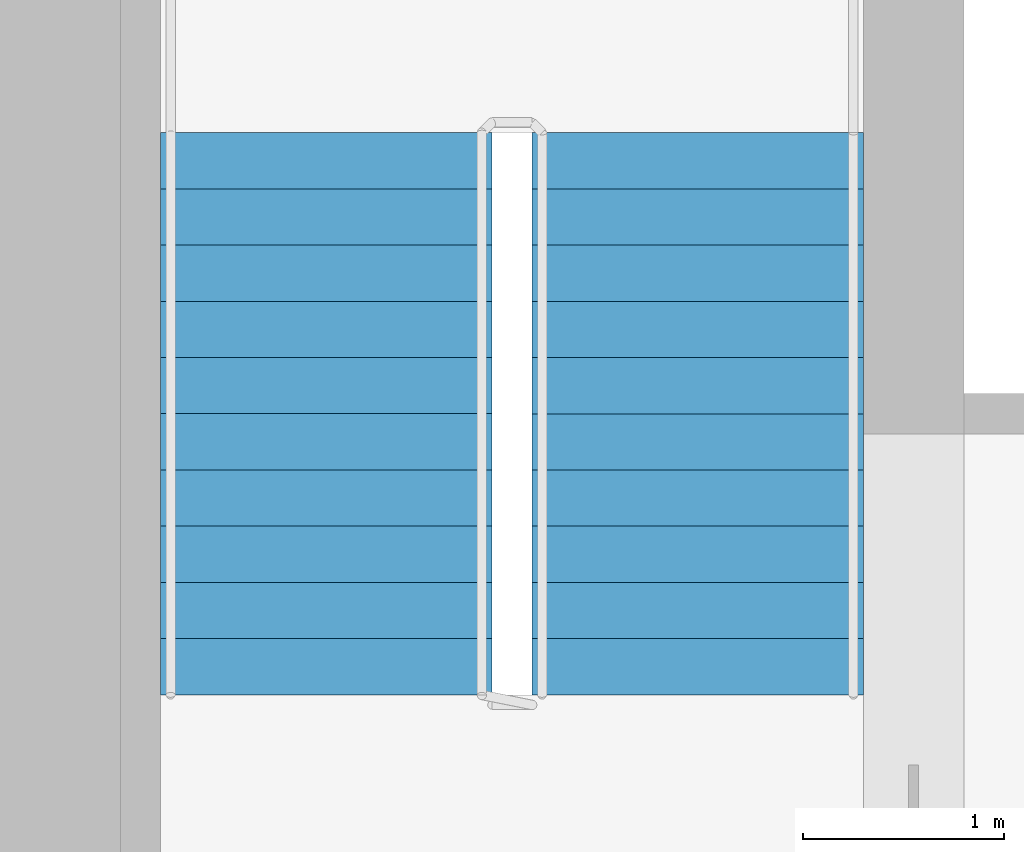
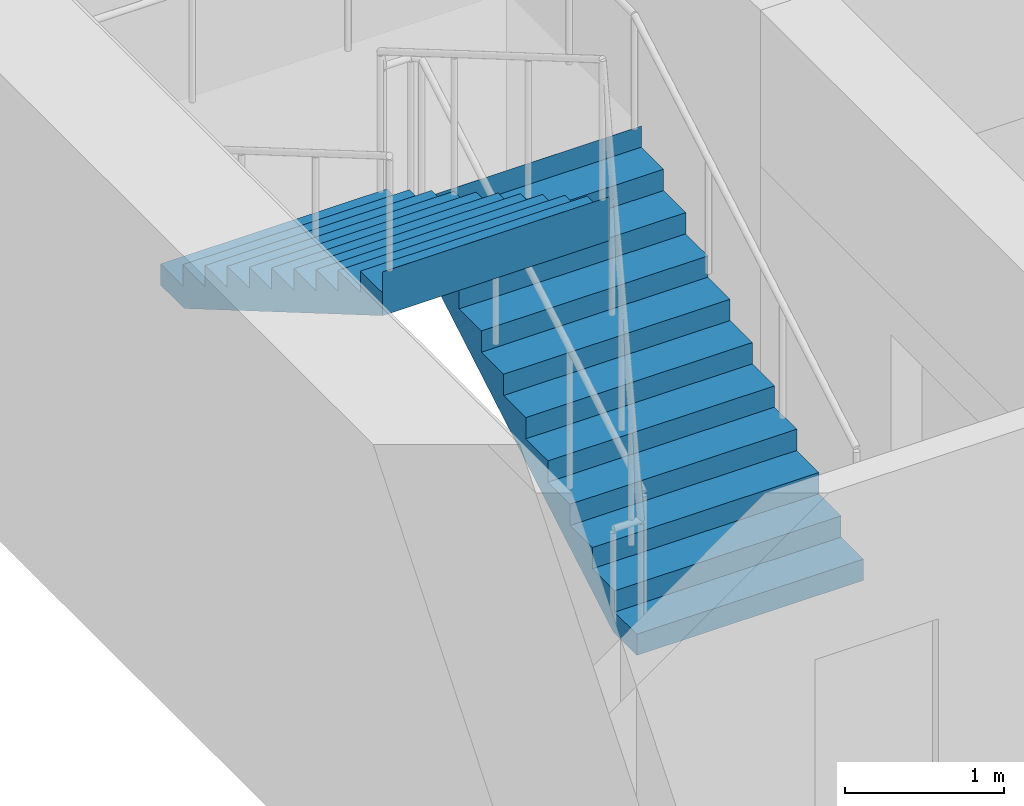
# One storey, part 13 of 14: 2 stair flights, 1 element without a shape of its own.
"""IFC4 building model written with IfcOpenShell, lengths in metres."""

from ifc_helpers import new_model, si_unit, direction, frame, origin, place, context, subcontext, project, spatial, polyline, outline, extrude, material, type_object, element, aggregate, save


model = new_model("IFC4")

# Units and contexts
model_context = context("Model", 3, precision=1e-05, world=origin(), true_north=direction((0.0, 1.0)))
body_context = subcontext(model_context, "Body", "Model", "MODEL_VIEW")
ifc_project = project(units=[si_unit("LENGTHUNIT", "METRE"), si_unit("AREAUNIT", "SQUARE_METRE"), si_unit("VOLUMEUNIT", "CUBIC_METRE"), si_unit("PLANEANGLEUNIT", "RADIAN"), si_unit("MASSUNIT", "GRAM", prefix="KILO")], contexts=[model_context])

# Site, building, storey
site_placement = place(None, origin())
site = spatial("IfcSite", under=ifc_project, at=site_placement, CompositionType="ELEMENT")
building_placement = place(site_placement, origin())
building = spatial("IfcBuilding", under=site, at=building_placement, Name="Tamorin Gate", CompositionType="ELEMENT")
storey_placement = place(building_placement, frame((0.0, 0.0, 137.39990234375)))
storey = spatial("IfcBuildingStorey", under=building, at=storey_placement, Name="L33", CompositionType="ELEMENT", Elevation=137.39990234375)

# Stair, stair flights
ifc_material = material(Name="Concrete C40/50", Category="concrete")
stair_type = type_object("IfcStairType", Name="Exit stair", PredefinedType="HALF_TURN_STAIR", material=ifc_material)
stair_placement = place(storey_placement, origin())
stair = element("IfcStair", 1, at=stair_placement, inside=storey, type_object=stair_type, Name="L33 stair ST2", PredefinedType="HALF_TURN_STAIR")
stair_flight_type = type_object("IfcStairFlightType", Name="Exit stair flight", PredefinedType="STRAIGHT", material=ifc_material)
stair_flight_1_placement = place(storey_placement, frame((33.675048828125, 77.0, 0.0), z_axis=(0.0, 0.0, 1.0), x_axis=(0.0, 1.0, 0.0)))
stair_flight_1 = element("IfcStairFlight", 2, at=stair_flight_1_placement, type_object=stair_flight_type, Name="ST2 flight 1", NumberOfRisers=11, NumberOfTreads=10, PredefinedType="STRAIGHT", RiserHeight=0.163636364, TreadLength=0.28, context=body_context, shape_type="SweptSolid", body=[
    extrude(outline(polyline([(-0.00048828125, 0.0), (-0.00048828125, 0.001708984375), (-0.00048828125, 0.003173828125), (-0.00048828125, 0.0048828125), (-0.00048828125, 0.006591796875), (-0.00048828125, 0.008056640625), (-0.00048828125, 0.009765625), (-0.00048828125, 0.01123046875), (-0.00048828125, 0.012939453125), (-0.00048828125, 0.0146484375), (-0.00048828125, 0.01611328125), (-0.00048828125, 0.017822265625), (-0.00048828125, 0.01953125), (-0.00048828125, 0.02099609375), (-0.00048828125, 0.022705078125), (-0.00048828125, 0.0244140625), (-0.00048828125, 0.02587890625), (-0.00048828125, 0.027587890625), (-0.00048828125, 0.029052734375), (-0.00048828125, 0.03076171875), (-0.00048828125, 0.032470703125), (-0.00048828125, 0.033935546875), (-0.00048828125, 0.03564453125), (-0.00048828125, 0.037353515625), (-0.00048828125, 0.038818359375), (-0.00048828125, 0.04052734375), (-0.00048828125, 0.042236328125), (-0.00048828125, 0.043701171875), (-0.00048828125, 0.04541015625), (-0.00048828125, 0.046875), (-0.00048828125, 0.048583984375), (-0.00048828125, 0.05029296875), (-0.00048828125, 0.0517578125), (-0.00048828125, 0.053466796875), (-0.00048828125, 0.05517578125), (-0.00048828125, 0.056640625), (-0.00048828125, 0.058349609375), (-0.00048828125, 0.06005859375), (-0.00048828125, 0.0615234375), (-0.00048828125, 0.063232421875), (-0.00048828125, 0.064697265625), (-0.00048828125, 0.06640625), (-0.00048828125, 0.068115234375), (-0.00048828125, 0.069580078125), (-0.00048828125, 0.0712890625), (-0.00048828125, 0.072998046875), (-0.00048828125, 0.074462890625), (-0.00048828125, 0.076171875), (-0.00048828125, 0.077880859375), (-0.00048828125, 0.079345703125), (-0.00048828125, 0.0810546875), (-0.00048828125, 0.08251953125), (-0.00048828125, 0.084228515625), (-0.00048828125, 0.0859375), (-0.00048828125, 0.08740234375), (-0.00048828125, 0.089111328125), (-0.00048828125, 0.0908203125), (-0.00048828125, 0.09228515625), (-0.00048828125, 0.093994140625), (-0.00048828125, 0.095703125), (-0.00048828125, 0.09716796875), (-0.00048828125, 0.098876953125), (-0.00048828125, 0.100341796875), (-0.00048828125, 0.10205078125), (-0.00048828125, 0.103759765625), (-0.00048828125, 0.105224609375), (-0.00048828125, 0.10693359375), (-0.00048828125, 0.108642578125), (-0.00048828125, 0.110107421875), (-0.00048828125, 0.11181640625), (-0.00048828125, 0.113525390625), (-0.00048828125, 0.114990234375), (-0.00048828125, 0.11669921875), (-0.00048828125, 0.1181640625), (-0.00048828125, 0.119873046875), (-0.00048828125, 0.12158203125), (-0.00048828125, 0.123046875), (-0.00048828125, 0.124755859375), (-0.00048828125, 0.12646484375), (-0.00048828125, 0.1279296875), (-0.00048828125, 0.129638671875), (-0.00048828125, 0.13134765625), (-0.00048828125, 0.1328125), (-0.00048828125, 0.134521484375), (-0.00048828125, 0.135986328125), (-0.00048828125, 0.1376953125), (-0.00048828125, 0.139404296875), (-0.00048828125, 0.140869140625), (-0.00048828125, 0.142578125), (-0.00048828125, 0.144287109375), (-0.00048828125, 0.145751953125), (-0.00048828125, 0.1474609375), (-0.00048828125, 0.149169921875), (-0.00048828125, 0.150634765625), (-0.00048828125, 0.15234375), (-0.00048828125, 0.15380859375), (-0.00048828125, 0.155517578125), (-0.00048828125, 0.1572265625), (-0.00048828125, 0.15869140625), (-0.00048828125, 0.160400390625), (-0.00048828125, 0.162109375), (-0.00048828125, 0.16357421875), (0.280029296875, 0.16357421875), (0.280029296875, 0.327392578125), (0.56005859375, 0.327392578125), (0.56005859375, 0.490966796875), (0.840087890625, 0.490966796875), (0.840087890625, 0.654541015625), (1.1201171875, 0.654541015625), (1.1201171875, 0.818115234375), (1.39990234375, 0.818115234375), (1.39990234375, 0.98193359375), (1.679931640625, 0.98193359375), (1.679931640625, 1.1455078125), (1.9599609375, 1.1455078125), (1.9599609375, 1.30908203125), (2.239990234375, 1.30908203125), (2.239990234375, 1.47265625), (2.52001953125, 1.47265625), (2.52001953125, 1.636474609375), (2.800048828125, 1.636474609375), (2.800048828125, 1.800048828125), (2.800537109375, 1.800048828125), (2.800537109375, 1.796630859375), (2.800537109375, 1.793212890625), (2.800537109375, 1.7900390625), (2.800537109375, 1.78662109375), (2.800537109375, 1.783203125), (2.800537109375, 1.780029296875), (2.800537109375, 1.776611328125), (2.800537109375, 1.773193359375), (2.800537109375, 1.77001953125), (2.800537109375, 1.7666015625), (2.800537109375, 1.76318359375), (2.800537109375, 1.760009765625), (2.800537109375, 1.756591796875), (2.800537109375, 1.753173828125), (2.800537109375, 1.75), (2.800537109375, 1.74658203125), (2.800537109375, 1.7431640625), (2.800537109375, 1.739990234375), (2.800537109375, 1.736572265625), (2.800537109375, 1.733154296875), (2.800537109375, 1.72998046875), (2.800537109375, 1.7265625), (2.800537109375, 1.72314453125), (2.800537109375, 1.719970703125), (2.800537109375, 1.716552734375), (2.800537109375, 1.713134765625), (2.800537109375, 1.7099609375), (2.800537109375, 1.70654296875), (2.800537109375, 1.703125), (2.800537109375, 1.69970703125), (2.800537109375, 1.696533203125), (2.800537109375, 1.693115234375), (2.800537109375, 1.689697265625), (2.800537109375, 1.6865234375), (2.800537109375, 1.68310546875), (2.800537109375, 1.6796875), (2.800537109375, 1.676513671875), (2.800537109375, 1.673095703125), (2.800537109375, 1.669677734375), (2.800537109375, 1.66650390625), (2.800537109375, 1.6630859375), (2.800537109375, 1.65966796875), (2.800537109375, 1.656494140625), (2.800537109375, 1.653076171875), (2.800537109375, 1.649658203125), (2.800537109375, 1.646484375), (2.800537109375, 1.64306640625), (2.800537109375, 1.6396484375), (2.800537109375, 1.636474609375), (2.800537109375, 1.633056640625), (2.800537109375, 1.629638671875), (2.800537109375, 1.62646484375), (2.800537109375, 1.623046875), (2.800537109375, 1.61962890625), (2.800537109375, 1.616455078125), (2.800537109375, 1.613037109375), (2.800537109375, 1.609619140625), (2.800537109375, 1.6064453125), (2.800537109375, 1.60302734375), (2.800537109375, 1.599609375), (2.800537109375, 1.59619140625), (2.800537109375, 1.593017578125), (2.800537109375, 1.589599609375), (2.800537109375, 1.586181640625), (2.800537109375, 1.5830078125), (2.800537109375, 1.57958984375), (2.800537109375, 1.576171875), (2.800537109375, 1.572998046875), (2.800537109375, 1.569580078125), (2.800537109375, 1.566162109375), (2.800537109375, 1.56298828125), (2.800537109375, 1.5595703125), (2.800537109375, 1.55615234375), (2.800537109375, 1.552978515625), (2.800537109375, 1.549560546875), (2.800537109375, 1.546142578125), (2.800537109375, 1.54296875), (2.800537109375, 1.53955078125), (2.800537109375, 1.5361328125), (2.800537109375, 1.532958984375), (2.800537109375, 1.529541015625), (2.800537109375, 1.526123046875), (2.800537109375, 1.52294921875), (2.800537109375, 1.51953125), (2.800537109375, 1.51611328125), (2.800537109375, 1.512939453125), (2.800537109375, 1.509521484375), (2.800537109375, 1.506103515625), (2.800537109375, 1.5029296875), (2.800537109375, 1.49951171875), (2.800537109375, 1.49609375), (2.800537109375, 1.49267578125), (2.800537109375, 1.489501953125), (2.800537109375, 1.486083984375), (2.800537109375, 1.482666015625), (2.800537109375, 1.4794921875), (2.800537109375, 1.47607421875), (2.800537109375, 1.47265625), (2.800537109375, 1.469482421875), (2.800537109375, 1.466064453125), (2.800537109375, 1.462646484375), (2.800048828125, 1.462646484375), (0.297119140625, 0.0), (-0.00048828125, 0.0)])), frame((0.0, 0.824951171875, 0.0), z_axis=(0.0, -1.0, 0.0), x_axis=(1.0, 0.0, 0.0)), (0.0, 0.0, 1.0), 1.64990234375),
])
stair_flight_2_placement = place(storey_placement, frame((31.824951171875, 79.800048828125, 1.800048828125), z_axis=(0.0, 0.0, 1.0), x_axis=(0.0, -1.0, 0.0)))
stair_flight_2 = element("IfcStairFlight", 3, at=stair_flight_2_placement, type_object=stair_flight_type, Name="ST2 flight 2", NumberOfRisers=11, NumberOfTreads=10, PredefinedType="STRAIGHT", RiserHeight=0.163636364, TreadLength=0.28, context=body_context, shape_type="SweptSolid", body=[
    extrude(outline(polyline([(-0.00048828125, 0.0), (-0.00048828125, 0.001708984375), (-0.00048828125, 0.003173828125), (-0.00048828125, 0.0048828125), (-0.00048828125, 0.006591796875), (-0.00048828125, 0.008056640625), (-0.00048828125, 0.009765625), (-0.00048828125, 0.01123046875), (-0.00048828125, 0.012939453125), (-0.00048828125, 0.0146484375), (-0.00048828125, 0.01611328125), (-0.00048828125, 0.017822265625), (-0.00048828125, 0.01953125), (-0.00048828125, 0.02099609375), (-0.00048828125, 0.022705078125), (-0.00048828125, 0.0244140625), (-0.00048828125, 0.02587890625), (-0.00048828125, 0.027587890625), (-0.00048828125, 0.029052734375), (-0.00048828125, 0.03076171875), (-0.00048828125, 0.032470703125), (-0.00048828125, 0.033935546875), (-0.00048828125, 0.03564453125), (-0.00048828125, 0.037353515625), (-0.00048828125, 0.038818359375), (-0.00048828125, 0.04052734375), (-0.00048828125, 0.042236328125), (-0.00048828125, 0.043701171875), (-0.00048828125, 0.04541015625), (-0.00048828125, 0.046875), (-0.00048828125, 0.048583984375), (-0.00048828125, 0.05029296875), (-0.00048828125, 0.0517578125), (-0.00048828125, 0.053466796875), (-0.00048828125, 0.05517578125), (-0.00048828125, 0.056640625), (-0.00048828125, 0.058349609375), (-0.00048828125, 0.06005859375), (-0.00048828125, 0.0615234375), (-0.00048828125, 0.063232421875), (-0.00048828125, 0.064697265625), (-0.00048828125, 0.06640625), (-0.00048828125, 0.068115234375), (-0.00048828125, 0.069580078125), (-0.00048828125, 0.0712890625), (-0.00048828125, 0.072998046875), (-0.00048828125, 0.074462890625), (-0.00048828125, 0.076171875), (-0.00048828125, 0.077880859375), (-0.00048828125, 0.079345703125), (-0.00048828125, 0.0810546875), (-0.00048828125, 0.08251953125), (-0.00048828125, 0.084228515625), (-0.00048828125, 0.0859375), (-0.00048828125, 0.08740234375), (-0.00048828125, 0.089111328125), (-0.00048828125, 0.0908203125), (-0.00048828125, 0.09228515625), (-0.00048828125, 0.093994140625), (-0.00048828125, 0.095703125), (-0.00048828125, 0.09716796875), (-0.00048828125, 0.098876953125), (-0.00048828125, 0.100341796875), (-0.00048828125, 0.10205078125), (-0.00048828125, 0.103759765625), (-0.00048828125, 0.105224609375), (-0.00048828125, 0.10693359375), (-0.00048828125, 0.108642578125), (-0.00048828125, 0.110107421875), (-0.00048828125, 0.11181640625), (-0.00048828125, 0.113525390625), (-0.00048828125, 0.114990234375), (-0.00048828125, 0.11669921875), (-0.00048828125, 0.1181640625), (-0.00048828125, 0.119873046875), (-0.00048828125, 0.12158203125), (-0.00048828125, 0.123046875), (-0.00048828125, 0.124755859375), (-0.00048828125, 0.12646484375), (-0.00048828125, 0.1279296875), (-0.00048828125, 0.129638671875), (-0.00048828125, 0.13134765625), (-0.00048828125, 0.1328125), (-0.00048828125, 0.134521484375), (-0.00048828125, 0.135986328125), (-0.00048828125, 0.1376953125), (-0.00048828125, 0.139404296875), (-0.00048828125, 0.140869140625), (-0.00048828125, 0.142578125), (-0.00048828125, 0.144287109375), (-0.00048828125, 0.145751953125), (-0.00048828125, 0.1474609375), (-0.00048828125, 0.149169921875), (-0.00048828125, 0.150634765625), (-0.00048828125, 0.15234375), (-0.00048828125, 0.15380859375), (-0.00048828125, 0.155517578125), (-0.00048828125, 0.1572265625), (-0.00048828125, 0.15869140625), (-0.00048828125, 0.160400390625), (-0.00048828125, 0.162109375), (-0.00048828125, 0.16357421875), (0.280029296875, 0.16357421875), (0.280029296875, 0.327392578125), (0.56005859375, 0.327392578125), (0.56005859375, 0.490966796875), (0.840087890625, 0.490966796875), (0.840087890625, 0.654541015625), (1.1201171875, 0.654541015625), (1.1201171875, 0.818115234375), (1.39990234375, 0.818115234375), (1.39990234375, 0.98193359375), (1.679931640625, 0.98193359375), (1.679931640625, 1.1455078125), (1.9599609375, 1.1455078125), (1.9599609375, 1.30908203125), (2.239990234375, 1.30908203125), (2.239990234375, 1.47265625), (2.52001953125, 1.47265625), (2.52001953125, 1.636474609375), (2.800048828125, 1.636474609375), (2.800048828125, 1.800048828125), (2.800537109375, 1.800048828125), (2.800537109375, 1.796630859375), (2.800537109375, 1.793212890625), (2.800537109375, 1.7900390625), (2.800537109375, 1.78662109375), (2.800537109375, 1.783203125), (2.800537109375, 1.780029296875), (2.800537109375, 1.776611328125), (2.800537109375, 1.773193359375), (2.800537109375, 1.77001953125), (2.800537109375, 1.7666015625), (2.800537109375, 1.76318359375), (2.800537109375, 1.760009765625), (2.800537109375, 1.756591796875), (2.800537109375, 1.753173828125), (2.800537109375, 1.75), (2.800537109375, 1.74658203125), (2.800537109375, 1.7431640625), (2.800537109375, 1.739990234375), (2.800537109375, 1.736572265625), (2.800537109375, 1.733154296875), (2.800537109375, 1.72998046875), (2.800537109375, 1.7265625), (2.800537109375, 1.72314453125), (2.800537109375, 1.719970703125), (2.800537109375, 1.716552734375), (2.800537109375, 1.713134765625), (2.800537109375, 1.7099609375), (2.800537109375, 1.70654296875), (2.800537109375, 1.703125), (2.800537109375, 1.69970703125), (2.800537109375, 1.696533203125), (2.800537109375, 1.693115234375), (2.800537109375, 1.689697265625), (2.800537109375, 1.6865234375), (2.800537109375, 1.68310546875), (2.800537109375, 1.6796875), (2.800537109375, 1.676513671875), (2.800537109375, 1.673095703125), (2.800537109375, 1.669677734375), (2.800537109375, 1.66650390625), (2.800537109375, 1.6630859375), (2.800537109375, 1.65966796875), (2.800537109375, 1.656494140625), (2.800537109375, 1.653076171875), (2.800537109375, 1.649658203125), (2.800537109375, 1.646484375), (2.800537109375, 1.64306640625), (2.800537109375, 1.6396484375), (2.800537109375, 1.636474609375), (2.800537109375, 1.633056640625), (2.800537109375, 1.629638671875), (2.800537109375, 1.62646484375), (2.800537109375, 1.623046875), (2.800537109375, 1.61962890625), (2.800537109375, 1.616455078125), (2.800537109375, 1.613037109375), (2.800537109375, 1.609619140625), (2.800537109375, 1.6064453125), (2.800537109375, 1.60302734375), (2.800537109375, 1.599609375), (2.800537109375, 1.59619140625), (2.800537109375, 1.593017578125), (2.800537109375, 1.589599609375), (2.800537109375, 1.586181640625), (2.800537109375, 1.5830078125), (2.800537109375, 1.57958984375), (2.800537109375, 1.576171875), (2.800537109375, 1.572998046875), (2.800537109375, 1.569580078125), (2.800537109375, 1.566162109375), (2.800537109375, 1.56298828125), (2.800537109375, 1.5595703125), (2.800537109375, 1.55615234375), (2.800537109375, 1.552978515625), (2.800537109375, 1.549560546875), (2.800537109375, 1.546142578125), (2.800537109375, 1.54296875), (2.800537109375, 1.53955078125), (2.800537109375, 1.5361328125), (2.800537109375, 1.532958984375), (2.800537109375, 1.529541015625), (2.800537109375, 1.526123046875), (2.800537109375, 1.52294921875), (2.800537109375, 1.51953125), (2.800537109375, 1.51611328125), (2.800537109375, 1.512939453125), (2.800537109375, 1.509521484375), (2.800537109375, 1.506103515625), (2.800537109375, 1.5029296875), (2.800537109375, 1.49951171875), (2.800537109375, 1.49609375), (2.800537109375, 1.49267578125), (2.800537109375, 1.489501953125), (2.800537109375, 1.486083984375), (2.800537109375, 1.482666015625), (2.800537109375, 1.4794921875), (2.800537109375, 1.47607421875), (2.800537109375, 1.47265625), (2.800537109375, 1.469482421875), (2.800537109375, 1.466064453125), (2.800537109375, 1.462646484375), (2.800048828125, 1.462646484375), (0.297119140625, 0.0), (-0.00048828125, 0.0)])), frame((0.0, 0.824951171875, 0.0), z_axis=(0.0, -1.0, 0.0), x_axis=(1.0, 0.0, 0.0)), (0.0, 0.0, 1.0), 1.64990234375),
])
aggregate(stair, [stair_flight_1, stair_flight_2])

save(model, "model.ifc")
